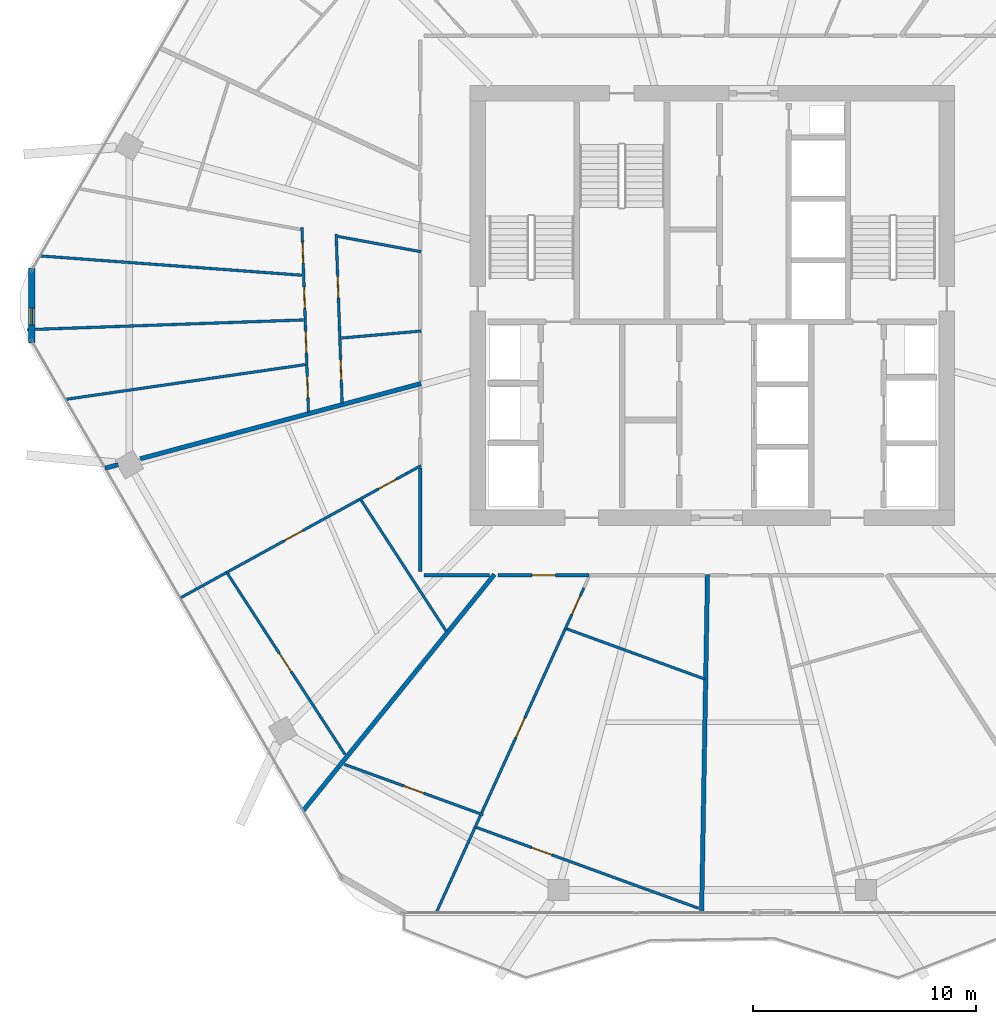
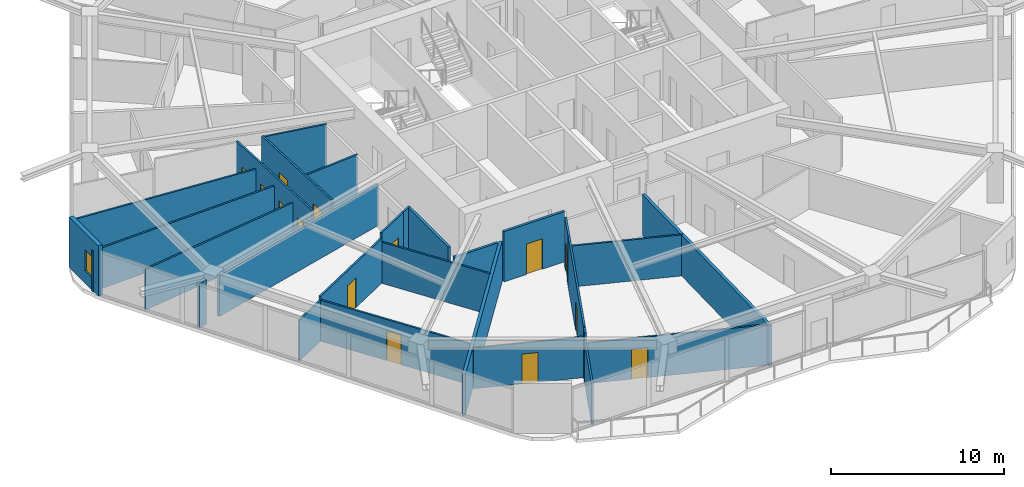
# One storey, part 19 of 27: 28 walls, 14 doors, 1 window, 15 openings.
"""IFC4 building model written with IfcOpenShell, lengths in metres."""

from ifc_helpers import new_model, si_unit, direction, frame, frame_2d, origin, place, context, subcontext, project, spatial, rectangle, extrude, material, layer, layer_set, type_object, element, fill, save


model = new_model("IFC4")

# Units and contexts
model_context = context("Model", 3, precision=1e-05, world=origin(), true_north=direction((0.0, 1.0)))
body_context = subcontext(model_context, "Body", "Model", "MODEL_VIEW")
ifc_project = project(units=[si_unit("LENGTHUNIT", "METRE"), si_unit("AREAUNIT", "SQUARE_METRE"), si_unit("VOLUMEUNIT", "CUBIC_METRE"), si_unit("PLANEANGLEUNIT", "RADIAN"), si_unit("MASSUNIT", "GRAM", prefix="KILO")], contexts=[model_context])

# Site, building, storey
site_placement = place(None, origin())
site = spatial("IfcSite", under=ifc_project, at=site_placement, CompositionType="ELEMENT")
building_placement = place(site_placement, origin())
building = spatial("IfcBuilding", under=site, at=building_placement, Name="Zuhravey Tower", CompositionType="ELEMENT")
storey_placement = place(building_placement, frame((0.0, 0.0, 218.800048828125)))
storey = spatial("IfcBuildingStorey", under=building, at=storey_placement, Name="L55", CompositionType="ELEMENT", Elevation=218.800048828125)

# Wall, opening, door
ifc_material_1 = material(Name="Gypsum fire-rated stud partition")
ifc_layer_1 = layer(ifc_material_1, 0.159912109375)
ifc_layer_set_1 = layer_set([ifc_layer_1], Name="Gypsum fire-rated stud partition")
wall_type_1 = type_object("IfcWallType", Name="Corridor Fire Partition 160", PredefinedType="PARTITIONING", material=ifc_layer_set_1)
wall_1_placement = place(storey_placement, frame((26.416748046875, 19.919921875, 0.0), z_axis=(0.0, 0.0, 1.0), x_axis=(1.0, 0.0, 0.0)))
wall_1 = element("IfcWall", 1, at=wall_1_placement, inside=storey, type_object=wall_type_1, Name="L55 IW16 Partition 053", PredefinedType="PARTITIONING", context=body_context, shape_type="SweptSolid", body=[
    extrude(rectangle(XDim=4.0712890625, YDim=0.159912109375, at=frame_2d((2.03564453125, 0.0))), origin(), (0.0, 0.0, 1.0), 3.550048828125),
])
opening_1_placement = place(wall_1_placement, frame((1.5107421875, 0.0, 0.0)))
opening_1 = element("IfcOpeningElement", 2, at=opening_1_placement, cuts=wall_1, Name="Opening APD1", PredefinedType="OPENING", context=body_context, shape_type="SweptSolid", body=[
    extrude(rectangle(XDim=1.050048828125, YDim=2.14990234375, at=frame_2d((0.52490234375, 1.074951171875))), frame((0.0, 0.092041015625, 0.0), z_axis=(0.0, -1.0, 0.0), x_axis=(1.0, 0.0, 0.0)), (0.0, 0.0, 1.0), 0.183837890625),
])
ifc_material_2 = material(Name="Solid-core oak fire-rated leaf")
door_type_1 = type_object("IfcDoorType", Name="Apartment Entrance Fire Door 1050x2150", OperationType="NOTDEFINED", PredefinedType="DOOR", material=ifc_material_2)
door_1_placement = place(opening_1_placement, frame((1.050048828125, 0.0, 0.0), z_axis=(0.0, 0.0, 1.0), x_axis=(-1.0, 0.0, 0.0)))
door_1 = element("IfcDoor", 3, at=door_1_placement, inside=storey, type_object=door_type_1, Name="L55 Door 053.1", OperationType="SINGLE_SWING_LEFT", OverallHeight=2.14990234375, OverallWidth=1.050048828125, PredefinedType="DOOR", context=body_context, shape_type="SweptSolid", body=[
    extrude(rectangle(XDim=1.050048828125, YDim=2.14990234375, at=frame_2d((0.52490234375, 1.074951171875))), frame((0.0, 0.02490234375, 0.0), z_axis=(0.0, -1.0, 0.0), x_axis=(1.0, 0.0, 0.0)), (0.0, 0.0, 1.0), 0.050048828125),
])
fill(opening_1, door_1)

# Walls
wall_2_placement = place(storey_placement, frame((22.919921875, 24.731689453125, 0.0), z_axis=(0.0, 0.0, 1.0), x_axis=(0.0, -1.0, 0.0)))
element("IfcWall", 4, at=wall_2_placement, inside=storey, type_object=wall_type_1, Name="L55 IW16 Partition 121", PredefinedType="PARTITIONING", context=body_context, shape_type="SweptSolid", body=[
    extrude(rectangle(XDim=4.631591796875, YDim=0.159912109375, at=frame_2d((2.31591796875, 0.0))), origin(), (0.0, 0.0, 1.0), 3.550048828125),
])
wall_3_placement = place(storey_placement, frame((23.10009765625, 19.919921875, 0.0), z_axis=(0.0, 0.0, 1.0), x_axis=(1.0, 0.0, 0.0)))
element("IfcWall", 5, at=wall_3_placement, inside=storey, type_object=wall_type_1, Name="L55 IW16 Partition 122", PredefinedType="PARTITIONING", context=body_context, shape_type="SweptSolid", body=[
    extrude(rectangle(XDim=2.916015625, YDim=0.159912109375, at=frame_2d((1.4580078125, 0.0))), origin(), (0.0, 0.0, 1.0), 2.89990234375),
])

# Wall, opening, window
ifc_material_3 = material(Name="Precast concrete C40/50", Category="concrete")
ifc_layer_2 = layer(ifc_material_3, 0.280029296875)
ifc_layer_set_2 = layer_set([ifc_layer_2], Name="Precast concrete C40/50")
wall_type_2 = type_object("IfcWallType", Name="Crown Architectural Wall 280", PredefinedType="SOLIDWALL", material=ifc_layer_set_2)
wall_4_placement = place(storey_placement, frame((5.5283203125, 30.3173828125, 0.0), z_axis=(0.0, 0.0, 1.0), x_axis=(0.0, 1.0, 0.0)))
wall_4 = element("IfcWall", 6, at=wall_4_placement, inside=storey, type_object=wall_type_2, Name="L55 Rounded Corner Closure Wall EW28-06", PredefinedType="SOLIDWALL", context=body_context, shape_type="SweptSolid", body=[
    extrude(rectangle(XDim=3.365234375, YDim=0.280029296875, at=frame_2d((1.6826171875, 0.0))), origin(), (0.0, 0.0, 1.0), 3.550048828125),
])
opening_2_placement = place(wall_4_placement, frame((0.81689453125, 0.0, 0.85009765625)))
opening_2 = element("IfcOpeningElement", 7, at=opening_2_placement, cuts=wall_4, Name="Opening WN5", PredefinedType="OPENING", context=body_context, shape_type="SweptSolid", body=[
    extrude(rectangle(XDim=0.75, YDim=1.5, at=frame_2d((0.375, 0.75))), frame((0.0, 0.152099609375, 0.0), z_axis=(0.0, -1.0, 0.0), x_axis=(1.0, 0.0, 0.0)), (0.0, 0.0, 1.0), 0.303955078125),
])
ifc_material_4 = material(Name="Thermally broken aluminium and triple low-E glass", Category="aluminium")
window_type = type_object("IfcWindowType", Name="Residential Corner Casement Window 750x1500", PartitioningType="SINGLE_PANEL", PredefinedType="WINDOW", material=ifc_material_4)
window_placement = place(opening_2_placement, origin())
window = element("IfcWindow", 8, at=window_placement, inside=storey, type_object=window_type, Name="L55 Corner Casement Window WN5-06.1", OverallHeight=1.5, OverallWidth=0.75, PartitioningType="SINGLE_PANEL", PredefinedType="WINDOW", context=body_context, shape_type="SweptSolid", body=[
    extrude(rectangle(XDim=0.75, YDim=1.5, at=frame_2d((0.375, 0.75))), frame((0.0, 0.030029296875, 0.0), z_axis=(0.0, -1.0, 0.0), x_axis=(1.0, 0.0, 0.0)), (0.0, 0.0, 1.0), 0.06005859375),
])
fill(opening_2, window)

# Walls
ifc_material_5 = material(Name="Gypsum double-stud party assembly")
ifc_layer_3 = layer(ifc_material_5, 0.199951171875)
ifc_layer_set_3 = layer_set([ifc_layer_3], Name="Gypsum double-stud party assembly")
wall_type_3 = type_object("IfcWallType", Name="Inter-Tenancy Party Wall 200", PredefinedType="PARTITIONING", material=ifc_layer_set_3)
wall_5_placement = place(storey_placement, frame((22.9599609375, 28.505859375, 0.0), z_axis=(0.0, 0.0, 1.0), x_axis=(-0.965928543948, -0.258808902449, 0.0)))
element("IfcWall", 9, at=wall_5_placement, inside=storey, type_object=wall_type_3, Name="L55 IW20 Partition 095", PredefinedType="PARTITIONING", context=body_context, shape_type="SweptSolid", body=[
    extrude(rectangle(XDim=13.015869140625, YDim=0.199951171875, at=frame_2d((6.5078125, 0.0))), origin(), (0.0, 0.0, 1.0), 2.89990234375),
])
wall_6_placement = place(storey_placement, frame((9.3974609375, 24.871826171875, 0.0), z_axis=(0.0, 0.0, 1.0), x_axis=(-0.965944425699, -0.258749621182, 0.0)))
element("IfcWall", 10, at=wall_6_placement, inside=storey, type_object=wall_type_3, Name="L55 IW20 Partition 096", PredefinedType="PARTITIONING", context=body_context, shape_type="SweptSolid", body=[
    extrude(rectangle(XDim=0.60107421875, YDim=0.199951171875, at=frame_2d((0.300537109375, 0.0))), origin(), (0.0, 0.0, 1.0), 3.1220703125),
])
wall_7_placement = place(storey_placement, frame((26.250244140625, 19.9599609375, 0.0), z_axis=(0.0, 0.0, 1.0), x_axis=(-0.629325545389, -0.777141787527, 0.0)))
element("IfcWall", 11, at=wall_7_placement, inside=storey, type_object=wall_type_3, Name="L55 IW20 Partition 100", PredefinedType="PARTITIONING", context=body_context, shape_type="SweptSolid", body=[
    extrude(rectangle(XDim=13.62451171875, YDim=0.199951171875, at=frame_2d((6.812255859375, 0.0))), origin(), (0.0, 0.0, 1.0), 2.869873046875),
])
wall_8_placement = place(storey_placement, frame((35.789794921875, 19.9599609375, 0.0), z_axis=(0.0, 0.0, 1.0), x_axis=(-0.017457758886, -0.999847601715, 0.0)))
element("IfcWall", 12, at=wall_8_placement, inside=storey, type_object=wall_type_3, Name="L55 IW20 Partition 104", PredefinedType="PARTITIONING", context=body_context, shape_type="SweptSolid", body=[
    extrude(rectangle(XDim=15.145263671875, YDim=0.199951171875, at=frame_2d((7.57275390625, 0.0))), origin(), (0.0, 0.0, 1.0), 2.869873046875),
])

# Wall, openings, doors
ifc_material_6 = material(Name="Gypsum metal-stud partition")
ifc_layer_4 = layer(ifc_material_6, 0.1201171875)
ifc_layer_set_4 = layer_set([ifc_layer_4], Name="Gypsum metal-stud partition")
wall_type_4 = type_object("IfcWallType", Name="Unit Internal Partition 120", PredefinedType="PARTITIONING", material=ifc_layer_set_4)
wall_9_placement = place(storey_placement, frame((19.159423828125, 35.210693359375, 0.0), z_axis=(0.0, 0.0, 1.0), x_axis=(0.035250653597, -0.999378502581, 0.0)))
wall_9 = element("IfcWall", 13, at=wall_9_placement, inside=storey, type_object=wall_type_4, Name="L55 IW12 Partition 041", PredefinedType="PARTITIONING", context=body_context, shape_type="SweptSolid", body=[
    extrude(rectangle(XDim=7.6044921875, YDim=0.1201171875, at=frame_2d((3.80224609375, 0.0))), origin(), (0.0, 0.0, 1.0), 3.550048828125),
])
opening_3_placement = place(wall_9_placement, frame((1.914794921875, 0.0, 0.0)))
opening_3 = element("IfcOpeningElement", 14, at=opening_3_placement, cuts=wall_9, Name="Opening IND1", PredefinedType="OPENING", context=body_context, shape_type="SweptSolid", body=[
    extrude(rectangle(XDim=0.949951171875, YDim=2.10009765625, at=frame_2d((0.47509765625, 1.050048828125))), frame((0.0, 0.072021484375, 0.0), z_axis=(0.0, -1.0, 0.0), x_axis=(1.0, 0.0, 0.0)), (0.0, 0.0, 1.0), 0.14404296875),
])
opening_4_placement = place(wall_9_placement, frame((5.639404296875, 0.0, 0.0)))
opening_4 = element("IfcOpeningElement", 15, at=opening_4_placement, cuts=wall_9, Name="Opening WCD1", PredefinedType="OPENING", context=body_context, shape_type="SweptSolid", body=[
    extrude(rectangle(XDim=0.89990234375, YDim=2.10009765625, at=frame_2d((0.449951171875, 1.050048828125))), frame((0.0, 0.072021484375, 0.0), z_axis=(0.0, -1.0, 0.0), x_axis=(1.0, 0.0, 0.0)), (0.0, 0.0, 1.0), 0.14404296875),
])
ifc_material_7 = material(Name="Moisture-resistant timber leaf", Category="wood")
door_type_2 = type_object("IfcDoorType", Name="Bathroom & WC Internal Door 900x2100", OperationType="NOTDEFINED", PredefinedType="DOOR", material=ifc_material_7)
door_2_placement = place(opening_4_placement, origin())
door_2 = element("IfcDoor", 16, at=door_2_placement, inside=storey, type_object=door_type_2, Name="Apartment L55-05 Bathroom Door", OperationType="SINGLE_SWING_LEFT", OverallHeight=2.10009765625, OverallWidth=0.89990234375, PredefinedType="DOOR", context=body_context, shape_type="SweptSolid", body=[
    extrude(rectangle(XDim=0.89990234375, YDim=2.10009765625, at=frame_2d((0.449951171875, 1.050048828125))), frame((0.0, 0.02490234375, 0.0), z_axis=(0.0, -1.0, 0.0), x_axis=(1.0, 0.0, 0.0)), (0.0, 0.0, 1.0), 0.050048828125),
])
fill(opening_4, door_2)
ifc_material_8 = material(Name="Painted engineered timber leaf", Category="wood")
door_type_3 = type_object("IfcDoorType", Name="Internal Room & Bedroom Door 950x2100", OperationType="NOTDEFINED", PredefinedType="DOOR", material=ifc_material_8)
door_3_placement = place(opening_3_placement, origin())
door_3 = element("IfcDoor", 17, at=door_3_placement, inside=storey, type_object=door_type_3, Name="Apartment L55-05 Kitchen Door", OperationType="SINGLE_SWING_RIGHT", OverallHeight=2.10009765625, OverallWidth=0.949951171875, PredefinedType="DOOR", context=body_context, shape_type="SweptSolid", body=[
    extrude(rectangle(XDim=0.949951171875, YDim=2.10009765625, at=frame_2d((0.47509765625, 1.050048828125))), frame((0.0, 0.02490234375, 0.0), z_axis=(0.0, -1.0, 0.0), x_axis=(1.0, 0.0, 0.0)), (0.0, 0.0, 1.0), 0.050048828125),
])
fill(opening_3, door_3)

wall_10_placement = place(storey_placement, frame((17.628662109375, 35.493408203125, 0.0), z_axis=(0.0, 0.0, 1.0), x_axis=(0.035245470695, -0.999378685382, 0.0)))
wall_10 = element("IfcWall", 18, at=wall_10_placement, inside=storey, type_object=wall_type_4, Name="L55 IW12 Partition 042", PredefinedType="PARTITIONING", context=body_context, shape_type="SweptSolid", body=[
    extrude(rectangle(XDim=8.277587890625, YDim=0.1201171875, at=frame_2d((4.138671875, 0.0))), origin(), (0.0, 0.0, 1.0), 3.550048828125),
])
opening_5_placement = place(wall_10_placement, frame((0.6474609375, 0.0, 0.0)))
opening_5 = element("IfcOpeningElement", 19, at=opening_5_placement, cuts=wall_10, Name="Opening IND1", PredefinedType="OPENING", context=body_context, shape_type="SweptSolid", body=[
    extrude(rectangle(XDim=0.949951171875, YDim=2.10009765625, at=frame_2d((0.47509765625, 1.050048828125))), frame((0.0, 0.072021484375, 0.0), z_axis=(0.0, -1.0, 0.0), x_axis=(1.0, 0.0, 0.0)), (0.0, 0.0, 1.0), 0.14404296875),
])
opening_6_placement = place(wall_10_placement, frame((2.66650390625, 0.0, 0.0)))
opening_6 = element("IfcOpeningElement", 20, at=opening_6_placement, cuts=wall_10, Name="Opening IND1", PredefinedType="OPENING", context=body_context, shape_type="SweptSolid", body=[
    extrude(rectangle(XDim=0.949951171875, YDim=2.10009765625, at=frame_2d((0.47509765625, 1.050048828125))), frame((0.0, 0.072021484375, 0.0), z_axis=(0.0, -1.0, 0.0), x_axis=(1.0, 0.0, 0.0)), (0.0, 0.0, 1.0), 0.14404296875),
])
opening_7_placement = place(wall_10_placement, frame((4.6611328125, 0.0, 0.0)))
opening_7 = element("IfcOpeningElement", 21, at=opening_7_placement, cuts=wall_10, Name="Opening IND1", PredefinedType="OPENING", context=body_context, shape_type="SweptSolid", body=[
    extrude(rectangle(XDim=0.949951171875, YDim=2.10009765625, at=frame_2d((0.47509765625, 1.050048828125))), frame((0.0, 0.072021484375, 0.0), z_axis=(0.0, -1.0, 0.0), x_axis=(1.0, 0.0, 0.0)), (0.0, 0.0, 1.0), 0.14404296875),
])
opening_8_placement = place(wall_10_placement, frame((6.68017578125, 0.0, 0.0)))
opening_8 = element("IfcOpeningElement", 22, at=opening_8_placement, cuts=wall_10, Name="Opening IND1", PredefinedType="OPENING", context=body_context, shape_type="SweptSolid", body=[
    extrude(rectangle(XDim=0.949951171875, YDim=2.10009765625, at=frame_2d((0.47509765625, 1.050048828125))), frame((0.0, 0.072021484375, 0.0), z_axis=(0.0, -1.0, 0.0), x_axis=(1.0, 0.0, 0.0)), (0.0, 0.0, 1.0), 0.14404296875),
])
door_4_placement = place(opening_5_placement, frame((0.949951171875, 0.0, 0.0), z_axis=(0.0, 0.0, 1.0), x_axis=(-1.0, 0.0, 0.0)))
door_4 = element("IfcDoor", 23, at=door_4_placement, inside=storey, type_object=door_type_3, Name="Apartment L55-05 Bedroom 1 Door", OperationType="SINGLE_SWING_RIGHT", OverallHeight=2.10009765625, OverallWidth=0.949951171875, PredefinedType="DOOR", context=body_context, shape_type="SweptSolid", body=[
    extrude(rectangle(XDim=0.949951171875, YDim=2.10009765625, at=frame_2d((0.47509765625, 1.050048828125))), frame((0.0, 0.02490234375, 0.0), z_axis=(0.0, -1.0, 0.0), x_axis=(1.0, 0.0, 0.0)), (0.0, 0.0, 1.0), 0.050048828125),
])
fill(opening_5, door_4)
door_5_placement = place(opening_6_placement, frame((0.949951171875, 0.0, 0.0), z_axis=(0.0, 0.0, 1.0), x_axis=(-1.0, 0.0, 0.0)))
door_5 = element("IfcDoor", 24, at=door_5_placement, inside=storey, type_object=door_type_3, Name="Apartment L55-05 Bedroom 2 Door", OperationType="SINGLE_SWING_LEFT", OverallHeight=2.10009765625, OverallWidth=0.949951171875, PredefinedType="DOOR", context=body_context, shape_type="SweptSolid", body=[
    extrude(rectangle(XDim=0.949951171875, YDim=2.10009765625, at=frame_2d((0.47509765625, 1.050048828125))), frame((0.0, 0.02490234375, 0.0), z_axis=(0.0, -1.0, 0.0), x_axis=(1.0, 0.0, 0.0)), (0.0, 0.0, 1.0), 0.050048828125),
])
fill(opening_6, door_5)
door_6_placement = place(opening_7_placement, frame((0.949951171875, 0.0, 0.0), z_axis=(0.0, 0.0, 1.0), x_axis=(-1.0, 0.0, 0.0)))
door_6 = element("IfcDoor", 25, at=door_6_placement, inside=storey, type_object=door_type_3, Name="Apartment L55-05 Bedroom 3 Door", OperationType="SINGLE_SWING_RIGHT", OverallHeight=2.10009765625, OverallWidth=0.949951171875, PredefinedType="DOOR", context=body_context, shape_type="SweptSolid", body=[
    extrude(rectangle(XDim=0.949951171875, YDim=2.10009765625, at=frame_2d((0.47509765625, 1.050048828125))), frame((0.0, 0.02490234375, 0.0), z_axis=(0.0, -1.0, 0.0), x_axis=(1.0, 0.0, 0.0)), (0.0, 0.0, 1.0), 0.050048828125),
])
fill(opening_7, door_6)
door_7_placement = place(opening_8_placement, frame((0.949951171875, 0.0, 0.0), z_axis=(0.0, 0.0, 1.0), x_axis=(-1.0, 0.0, 0.0)))
door_7 = element("IfcDoor", 26, at=door_7_placement, inside=storey, type_object=door_type_3, Name="Apartment L55-05 Bedroom 4 Door", OperationType="SINGLE_SWING_LEFT", OverallHeight=2.10009765625, OverallWidth=0.949951171875, PredefinedType="DOOR", context=body_context, shape_type="SweptSolid", body=[
    extrude(rectangle(XDim=0.949951171875, YDim=2.10009765625, at=frame_2d((0.47509765625, 1.050048828125))), frame((0.0, 0.02490234375, 0.0), z_axis=(0.0, -1.0, 0.0), x_axis=(1.0, 0.0, 0.0)), (0.0, 0.0, 1.0), 0.050048828125),
])
fill(opening_8, door_7)

# Wall, opening, door
wall_11_placement = place(storey_placement, frame((22.35009765625, 24.495849609375, 0.0), z_axis=(0.0, 0.0, 1.0), x_axis=(-0.876309206798, -0.481749077924, 0.0)))
wall_11 = element("IfcWall", 27, at=wall_11_placement, inside=storey, type_object=wall_type_4, Name="L55 IW12 Partition 044", PredefinedType="PARTITIONING", context=body_context, shape_type="SweptSolid", body=[
    extrude(rectangle(XDim=2.430419921875, YDim=0.1201171875, at=frame_2d((1.21533203125, 0.0))), origin(), (0.0, 0.0, 1.0), 3.550048828125),
])
opening_9_placement = place(wall_11_placement, frame((0.57080078125, 0.0, 0.0)))
opening_9 = element("IfcOpeningElement", 28, at=opening_9_placement, cuts=wall_11, Name="Opening WCD1", PredefinedType="OPENING", context=body_context, shape_type="SweptSolid", body=[
    extrude(rectangle(XDim=0.89990234375, YDim=2.10009765625, at=frame_2d((0.449951171875, 1.050048828125))), frame((0.0, 0.072021484375, 0.0), z_axis=(0.0, -1.0, 0.0), x_axis=(1.0, 0.0, 0.0)), (0.0, 0.0, 1.0), 0.14404296875),
])
door_8_placement = place(opening_9_placement, origin())
door_8 = element("IfcDoor", 29, at=door_8_placement, inside=storey, type_object=door_type_2, Name="Apartment L55-06 Bathroom Door", OperationType="SINGLE_SWING_LEFT", OverallHeight=2.10009765625, OverallWidth=0.89990234375, PredefinedType="DOOR", context=body_context, shape_type="SweptSolid", body=[
    extrude(rectangle(XDim=0.89990234375, YDim=2.10009765625, at=frame_2d((0.449951171875, 1.050048828125))), frame((0.0, 0.02490234375, 0.0), z_axis=(0.0, -1.0, 0.0), x_axis=(1.0, 0.0, 0.0)), (0.0, 0.0, 1.0), 0.050048828125),
])
fill(opening_9, door_8)

wall_12_placement = place(storey_placement, frame((20.22021484375, 23.324951171875, 0.0), z_axis=(0.0, 0.0, 1.0), x_axis=(-0.876311810277, -0.481744342124, 0.0)))
wall_12 = element("IfcWall", 30, at=wall_12_placement, inside=storey, type_object=wall_type_4, Name="L55 IW12 Partition 045", PredefinedType="PARTITIONING", context=body_context, shape_type="SweptSolid", body=[
    extrude(rectangle(XDim=6.824951171875, YDim=0.1201171875, at=frame_2d((3.41259765625, 0.0))), origin(), (0.0, 0.0, 1.0), 3.14990234375),
])
opening_10_placement = place(wall_12_placement, frame((2.912353515625, 0.0, 0.0)))
opening_10 = element("IfcOpeningElement", 31, at=opening_10_placement, cuts=wall_12, Name="Opening IND1", PredefinedType="OPENING", context=body_context, shape_type="SweptSolid", body=[
    extrude(rectangle(XDim=0.949951171875, YDim=2.10009765625, at=frame_2d((0.47509765625, 1.050048828125))), frame((0.0, 0.072021484375, 0.0), z_axis=(0.0, -1.0, 0.0), x_axis=(1.0, 0.0, 0.0)), (0.0, 0.0, 1.0), 0.14404296875),
])
door_9_placement = place(opening_10_placement, origin())
door_9 = element("IfcDoor", 32, at=door_9_placement, inside=storey, type_object=door_type_3, Name="Apartment L55-06 Home Office Door", OperationType="SINGLE_SWING_RIGHT", OverallHeight=2.10009765625, OverallWidth=0.949951171875, PredefinedType="DOOR", context=body_context, shape_type="SweptSolid", body=[
    extrude(rectangle(XDim=0.949951171875, YDim=2.10009765625, at=frame_2d((0.47509765625, 1.050048828125))), frame((0.0, 0.02490234375, 0.0), z_axis=(0.0, -1.0, 0.0), x_axis=(1.0, 0.0, 0.0)), (0.0, 0.0, 1.0), 0.050048828125),
])
fill(opening_10, door_9)

wall_13_placement = place(storey_placement, frame((14.298583984375, 19.991943359375, 0.0), z_axis=(0.0, 0.0, 1.0), x_axis=(0.544639863527, -0.838670029903, 0.0)))
wall_13 = element("IfcWall", 33, at=wall_13_placement, inside=storey, type_object=wall_type_4, Name="L55 IW12 Partition 046", PredefinedType="PARTITIONING", context=body_context, shape_type="SweptSolid", body=[
    extrude(rectangle(XDim=9.654296875, YDim=0.1201171875, at=frame_2d((4.8271484375, 0.0))), origin(), (0.0, 0.0, 1.0), 2.89990234375),
])
opening_11_placement = place(wall_13_placement, frame((4.267822265625, 0.0, 0.0)))
opening_11 = element("IfcOpeningElement", 34, at=opening_11_placement, cuts=wall_13, Name="Opening IND1", PredefinedType="OPENING", context=body_context, shape_type="SweptSolid", body=[
    extrude(rectangle(XDim=0.949951171875, YDim=2.10009765625, at=frame_2d((0.47509765625, 1.050048828125))), frame((0.0, 0.072021484375, 0.0), z_axis=(0.0, -1.0, 0.0), x_axis=(1.0, 0.0, 0.0)), (0.0, 0.0, 1.0), 0.14404296875),
])
door_10_placement = place(opening_11_placement, frame((0.949951171875, 0.0, 0.0), z_axis=(0.0, 0.0, 1.0), x_axis=(-1.0, 0.0, 0.0)))
door_10 = element("IfcDoor", 35, at=door_10_placement, inside=storey, type_object=door_type_3, Name="Apartment L55-06 Bedroom 1 Door", OperationType="SINGLE_SWING_LEFT", OverallHeight=2.10009765625, OverallWidth=0.949951171875, PredefinedType="DOOR", context=body_context, shape_type="SweptSolid", body=[
    extrude(rectangle(XDim=0.949951171875, YDim=2.10009765625, at=frame_2d((0.47509765625, 1.050048828125))), frame((0.0, 0.02490234375, 0.0), z_axis=(0.0, -1.0, 0.0), x_axis=(1.0, 0.0, 0.0)), (0.0, 0.0, 1.0), 0.050048828125),
])
fill(opening_11, door_10)

wall_14_placement = place(storey_placement, frame((19.52880859375, 11.45361328125, 0.0), z_axis=(0.0, 0.0, 1.0), x_axis=(0.939692077738, -0.342021635334, 0.0)))
wall_14 = element("IfcWall", 36, at=wall_14_placement, inside=storey, type_object=wall_type_4, Name="L55 IW12 Partition 048", PredefinedType="PARTITIONING", context=body_context, shape_type="SweptSolid", body=[
    extrude(rectangle(XDim=6.6142578125, YDim=0.1201171875, at=frame_2d((3.30712890625, 0.0))), origin(), (0.0, 0.0, 1.0), 2.869873046875),
])
opening_12_placement = place(wall_14_placement, frame((2.83203125, 0.0, 0.0)))
opening_12 = element("IfcOpeningElement", 37, at=opening_12_placement, cuts=wall_14, Name="Opening IND1", PredefinedType="OPENING", context=body_context, shape_type="SweptSolid", body=[
    extrude(rectangle(XDim=0.949951171875, YDim=2.10009765625, at=frame_2d((0.47509765625, 1.050048828125))), frame((0.0, 0.072021484375, 0.0), z_axis=(0.0, -1.0, 0.0), x_axis=(1.0, 0.0, 0.0)), (0.0, 0.0, 1.0), 0.14404296875),
])
door_11_placement = place(opening_12_placement, frame((0.949951171875, 0.0, 0.0), z_axis=(0.0, 0.0, 1.0), x_axis=(-1.0, 0.0, 0.0)))
door_11 = element("IfcDoor", 38, at=door_11_placement, inside=storey, type_object=door_type_3, Name="Apartment L55-07 Family Study Door", OperationType="SINGLE_SWING_LEFT", OverallHeight=2.10009765625, OverallWidth=0.949951171875, PredefinedType="DOOR", context=body_context, shape_type="SweptSolid", body=[
    extrude(rectangle(XDim=0.949951171875, YDim=2.10009765625, at=frame_2d((0.47509765625, 1.050048828125))), frame((0.0, 0.02490234375, 0.0), z_axis=(0.0, -1.0, 0.0), x_axis=(1.0, 0.0, 0.0)), (0.0, 0.0, 1.0), 0.050048828125),
])
fill(opening_12, door_11)

wall_15_placement = place(storey_placement, frame((30.2509765625, 19.35009765625, 0.0), z_axis=(0.0, 0.0, 1.0), x_axis=(-0.413702365971, -0.910412188182, 0.0)))
wall_15 = element("IfcWall", 39, at=wall_15_placement, inside=storey, type_object=wall_type_4, Name="L55 IW12 Partition 049", PredefinedType="PARTITIONING", context=body_context, shape_type="SweptSolid", body=[
    extrude(rectangle(XDim=2.01171875, YDim=0.1201171875, at=frame_2d((1.005859375, 0.0))), origin(), (0.0, 0.0, 1.0), 3.550048828125),
])
opening_13_placement = place(wall_15_placement, frame((0.39501953125, 0.0, 0.0)))
opening_13 = element("IfcOpeningElement", 40, at=opening_13_placement, cuts=wall_15, Name="Opening WCD1", PredefinedType="OPENING", context=body_context, shape_type="SweptSolid", body=[
    extrude(rectangle(XDim=0.89990234375, YDim=2.10009765625, at=frame_2d((0.449951171875, 1.050048828125))), frame((0.0, 0.072021484375, 0.0), z_axis=(0.0, -1.0, 0.0), x_axis=(1.0, 0.0, 0.0)), (0.0, 0.0, 1.0), 0.14404296875),
])
door_12_placement = place(opening_13_placement, origin())
door_12 = element("IfcDoor", 41, at=door_12_placement, inside=storey, type_object=door_type_2, Name="Apartment L55-07 Bathroom Door", OperationType="SINGLE_SWING_RIGHT", OverallHeight=2.10009765625, OverallWidth=0.89990234375, PredefinedType="DOOR", context=body_context, shape_type="SweptSolid", body=[
    extrude(rectangle(XDim=0.89990234375, YDim=2.10009765625, at=frame_2d((0.449951171875, 1.050048828125))), frame((0.0, 0.02490234375, 0.0), z_axis=(0.0, -1.0, 0.0), x_axis=(1.0, 0.0, 0.0)), (0.0, 0.0, 1.0), 0.050048828125),
])
fill(opening_13, door_12)

wall_16_placement = place(storey_placement, frame((29.418701171875, 17.5185546875, 0.0), z_axis=(0.0, 0.0, 1.0), x_axis=(-0.41373376756, -0.910397918265, 0.0)))
wall_16 = element("IfcWall", 42, at=wall_16_placement, inside=storey, type_object=wall_type_4, Name="L55 IW12 Partition 050", PredefinedType="PARTITIONING", context=body_context, shape_type="SweptSolid", body=[
    extrude(rectangle(XDim=9.040771484375, YDim=0.1201171875, at=frame_2d((4.5205078125, 0.0))), origin(), (0.0, 0.0, 1.0), 3.550048828125),
])
opening_14_placement = place(wall_16_placement, frame((4.38427734375, 0.0, 0.0)))
opening_14 = element("IfcOpeningElement", 43, at=opening_14_placement, cuts=wall_16, Name="Opening IND1", PredefinedType="OPENING", context=body_context, shape_type="SweptSolid", body=[
    extrude(rectangle(XDim=0.949951171875, YDim=2.10009765625, at=frame_2d((0.47509765625, 1.050048828125))), frame((0.0, 0.072021484375, 0.0), z_axis=(0.0, -1.0, 0.0), x_axis=(1.0, 0.0, 0.0)), (0.0, 0.0, 1.0), 0.14404296875),
])
door_13_placement = place(opening_14_placement, origin())
door_13 = element("IfcDoor", 44, at=door_13_placement, inside=storey, type_object=door_type_3, Name="Apartment L55-07 Home Office Door", OperationType="SINGLE_SWING_LEFT", OverallHeight=2.10009765625, OverallWidth=0.949951171875, PredefinedType="DOOR", context=body_context, shape_type="SweptSolid", body=[
    extrude(rectangle(XDim=0.949951171875, YDim=2.10009765625, at=frame_2d((0.47509765625, 1.050048828125))), frame((0.0, 0.02490234375, 0.0), z_axis=(0.0, -1.0, 0.0), x_axis=(1.0, 0.0, 0.0)), (0.0, 0.0, 1.0), 0.050048828125),
])
fill(opening_14, door_13)

# Wall
wall_17_placement = place(storey_placement, frame((25.621826171875, 9.16357421875, 0.0), z_axis=(0.0, 0.0, 1.0), x_axis=(-0.413865182103, -0.910338184985, 0.0)))
element("IfcWall", 45, at=wall_17_placement, inside=storey, type_object=wall_type_4, Name="L55 IW12 Partition 051", PredefinedType="PARTITIONING", context=body_context, shape_type="SweptSolid", body=[
    extrude(rectangle(XDim=0.591064453125, YDim=0.1201171875, at=frame_2d((0.29541015625, 0.0))), origin(), (0.0, 0.0, 1.0), 3.550048828125),
])

# Wall, opening, door
wall_18_placement = place(storey_placement, frame((25.45166015625, 8.624755859375, 0.0), z_axis=(0.0, 0.0, 1.0), x_axis=(0.939694340758, -0.342015417705, 0.0)))
wall_18 = element("IfcWall", 46, at=wall_18_placement, inside=storey, type_object=wall_type_4, Name="L55 IW12 Partition 052", PredefinedType="PARTITIONING", context=body_context, shape_type="SweptSolid", body=[
    extrude(rectangle(XDim=10.57958984375, YDim=0.1201171875, at=frame_2d((5.289794921875, 0.0))), origin(), (0.0, 0.0, 1.0), 2.869873046875),
])
opening_15_placement = place(wall_18_placement, frame((2.6279296875, 0.0, 0.0)))
opening_15 = element("IfcOpeningElement", 47, at=opening_15_placement, cuts=wall_18, Name="Opening IND1", PredefinedType="OPENING", context=body_context, shape_type="SweptSolid", body=[
    extrude(rectangle(XDim=0.949951171875, YDim=2.10009765625, at=frame_2d((0.47509765625, 1.050048828125))), frame((0.0, 0.072021484375, 0.0), z_axis=(0.0, -1.0, 0.0), x_axis=(1.0, 0.0, 0.0)), (0.0, 0.0, 1.0), 0.14404296875),
])
door_14_placement = place(opening_15_placement, frame((0.949951171875, 0.0, 0.0), z_axis=(0.0, 0.0, 1.0), x_axis=(-1.0, 0.0, 0.0)))
door_14 = element("IfcDoor", 48, at=door_14_placement, inside=storey, type_object=door_type_3, Name="Apartment L55-07 Bedroom 1 Door", OperationType="SINGLE_SWING_RIGHT", OverallHeight=2.10009765625, OverallWidth=0.949951171875, PredefinedType="DOOR", context=body_context, shape_type="SweptSolid", body=[
    extrude(rectangle(XDim=0.949951171875, YDim=2.10009765625, at=frame_2d((0.47509765625, 1.050048828125))), frame((0.0, 0.02490234375, 0.0), z_axis=(0.0, -1.0, 0.0), x_axis=(1.0, 0.0, 0.0)), (0.0, 0.0, 1.0), 0.050048828125),
])
fill(opening_15, door_14)

# Walls
wall_19_placement = place(storey_placement, frame((22.969970703125, 30.8564453125, 0.0), z_axis=(0.0, 0.0, 1.0), x_axis=(-0.996171920563, -0.087415700433, 0.0)))
element("IfcWall", 49, at=wall_19_placement, inside=storey, type_object=wall_type_4, Name="L55 IW12 Partition 088", PredefinedType="PARTITIONING", context=body_context, shape_type="SweptSolid", body=[
    extrude(rectangle(XDim=3.591552734375, YDim=0.1201171875, at=frame_2d((1.7958984375, 0.0))), origin(), (0.0, 0.0, 1.0), 3.550048828125),
])
wall_20_placement = place(storey_placement, frame((17.635986328125, 33.35498046875, 0.0), z_axis=(0.0, 0.0, 1.0), x_axis=(-0.997288966601, 0.073584761308, 0.0)))
element("IfcWall", 50, at=wall_20_placement, inside=storey, type_object=wall_type_4, Name="L55 IW12 Partition 089", PredefinedType="PARTITIONING", context=body_context, shape_type="SweptSolid", body=[
    extrude(rectangle(XDim=11.784912109375, YDim=0.1201171875, at=frame_2d((5.892578125, 0.0))), origin(), (0.0, 0.0, 1.0), 2.869873046875),
])
wall_21_placement = place(storey_placement, frame((17.70654296875, 31.354736328125, 0.0), z_axis=(0.0, 0.0, 1.0), x_axis=(-0.999378699992, -0.035245056423, 0.0)))
element("IfcWall", 51, at=wall_21_placement, inside=storey, type_object=wall_type_4, Name="L55 IW12 Partition 090", PredefinedType="PARTITIONING", context=body_context, shape_type="SweptSolid", body=[
    extrude(rectangle(XDim=12.385498046875, YDim=0.1201171875, at=frame_2d((6.19287109375, 0.0))), origin(), (0.0, 0.0, 1.0), 2.869873046875),
])
wall_22_placement = place(storey_placement, frame((17.777099609375, 29.3544921875, 0.0), z_axis=(0.0, 0.0, 1.0), x_axis=(-0.989627788281, -0.143655284142, 0.0)))
element("IfcWall", 52, at=wall_22_placement, inside=storey, type_object=wall_type_4, Name="L55 IW12 Partition 091", PredefinedType="PARTITIONING", context=body_context, shape_type="SweptSolid", body=[
    extrude(rectangle(XDim=10.861328125, YDim=0.1201171875, at=frame_2d((5.4306640625, 0.0))), origin(), (0.0, 0.0, 1.0), 2.869873046875),
])
wall_23_placement = place(storey_placement, frame((22.969970703125, 34.405517578125, 0.0), z_axis=(0.0, 0.0, 1.0), x_axis=(-0.983380239975, 0.181557989708, 0.0)))
element("IfcWall", 53, at=wall_23_placement, inside=storey, type_object=wall_type_4, Name="L55 IW12 Partition 092", PredefinedType="PARTITIONING", context=body_context, shape_type="SweptSolid", body=[
    extrude(rectangle(XDim=3.801513671875, YDim=0.1201171875, at=frame_2d((1.90087890625, 0.0))), origin(), (0.0, 0.0, 1.0), 3.550048828125),
])
wall_24_placement = place(storey_placement, frame((22.96142578125, 24.83203125, 0.0), z_axis=(0.0, 0.0, 1.0), x_axis=(-0.876245460358, -0.48186501554, 0.0)))
element("IfcWall", 54, at=wall_24_placement, inside=storey, type_object=wall_type_4, Name="L55 IW12 Partition 097", PredefinedType="PARTITIONING", context=body_context, shape_type="SweptSolid", body=[
    extrude(rectangle(XDim=0.69775390625, YDim=0.1201171875, at=frame_2d((0.348876953125, 0.0))), origin(), (0.0, 0.0, 1.0), 3.550048828125),
])
wall_25_placement = place(storey_placement, frame((14.239501953125, 20.037109375, 0.0), z_axis=(0.0, 0.0, 1.0), x_axis=(-0.876298822975, -0.481767965781, 0.0)))
element("IfcWall", 55, at=wall_25_placement, inside=storey, type_object=wall_type_4, Name="L55 IW12 Partition 098", PredefinedType="PARTITIONING", context=body_context, shape_type="SweptSolid", body=[
    extrude(rectangle(XDim=2.362060546875, YDim=0.1201171875, at=frame_2d((1.18115234375, 0.0))), origin(), (0.0, 0.0, 1.0), 2.869873046875),
])
wall_26_placement = place(storey_placement, frame((20.279296875, 23.27978515625, 0.0), z_axis=(0.0, 0.0, 1.0), x_axis=(0.544627082445, -0.838678329914, 0.0)))
element("IfcWall", 56, at=wall_26_placement, inside=storey, type_object=wall_type_4, Name="L55 IW12 Partition 099", PredefinedType="PARTITIONING", context=body_context, shape_type="SweptSolid", body=[
    extrude(rectangle(XDim=7.00830078125, YDim=0.1201171875, at=frame_2d((3.504150390625, 0.0))), origin(), (0.0, 0.0, 1.0), 2.89990234375),
])
wall_27_placement = place(storey_placement, frame((25.377197265625, 8.62548828125, 0.0), z_axis=(0.0, 0.0, 1.0), x_axis=(-0.413759006365, -0.910386447972, 0.0)))
element("IfcWall", 57, at=wall_27_placement, inside=storey, type_object=wall_type_4, Name="L55 IW12 Partition 102", PredefinedType="PARTITIONING", context=body_context, shape_type="SweptSolid", body=[
    extrude(rectangle(XDim=4.1865234375, YDim=0.1201171875, at=frame_2d((2.09326171875, 0.0))), origin(), (0.0, 0.0, 1.0), 2.869873046875),
])
wall_28_placement = place(storey_placement, frame((29.4931640625, 17.517822265625, 0.0), z_axis=(0.0, 0.0, 1.0), x_axis=(0.939702180936, -0.341993875886, 0.0)))
element("IfcWall", 58, at=wall_28_placement, inside=storey, type_object=wall_type_4, Name="L55 IW12 Partition 103", PredefinedType="PARTITIONING", context=body_context, shape_type="SweptSolid", body=[
    extrude(rectangle(XDim=6.564697265625, YDim=0.1201171875, at=frame_2d((3.2822265625, 0.0))), origin(), (0.0, 0.0, 1.0), 2.89990234375),
])

save(model, "model.ifc")
